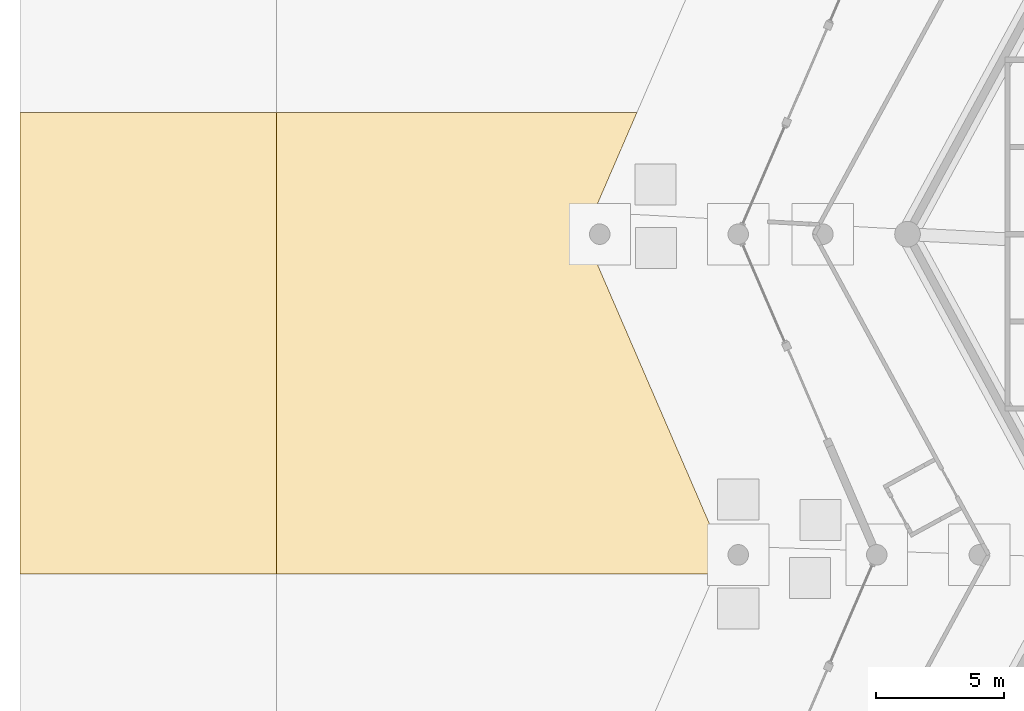
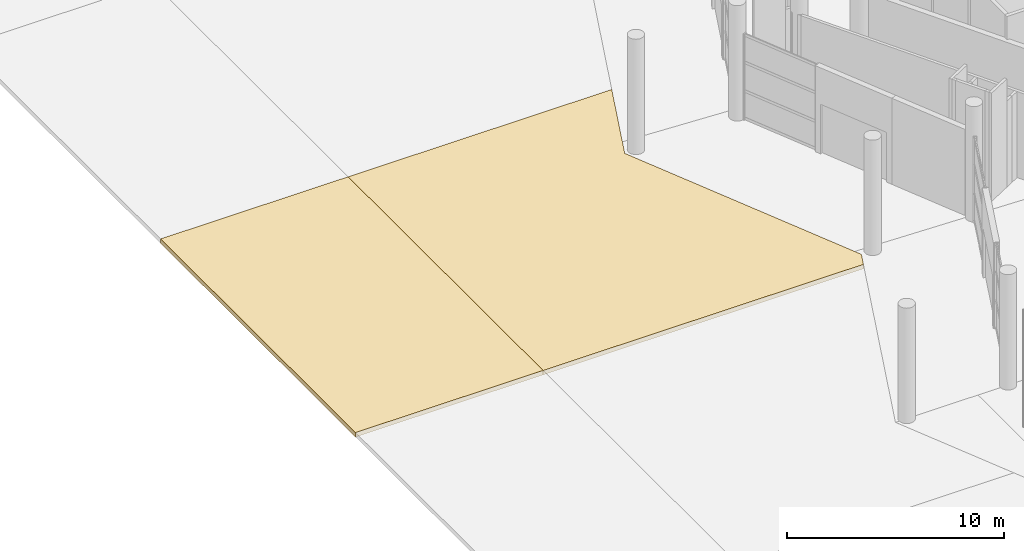
# One storey, part 222 of 255: 2 coverings.
"""IFC4 building model written with IfcOpenShell, lengths in metres."""

from ifc_helpers import new_model, si_unit, direction, frame, origin, place, context, subcontext, project, spatial, polyline, outline, extrude, material, layer, layer_set, type_object, element, save


model = new_model("IFC4")

# Units and contexts
model_context = context("Model", 3, precision=1e-05, world=origin(), true_north=direction((0.0, 1.0)))
body_context = subcontext(model_context, "Body", "Model", "MODEL_VIEW")
ifc_project = project(units=[si_unit("LENGTHUNIT", "METRE"), si_unit("AREAUNIT", "SQUARE_METRE"), si_unit("VOLUMEUNIT", "CUBIC_METRE"), si_unit("PLANEANGLEUNIT", "RADIAN"), si_unit("MASSUNIT", "GRAM", prefix="KILO")], contexts=[model_context])

# Site, building, storey
site_placement = place(None, origin())
site = spatial("IfcSite", under=ifc_project, at=site_placement, CompositionType="ELEMENT")
building_placement = place(site_placement, origin())
building = spatial("IfcBuilding", under=site, at=building_placement, Name="Meseta Stadium", CompositionType="ELEMENT")
storey_placement = place(building_placement, origin())
storey = spatial("IfcBuildingStorey", under=building, at=storey_placement, Name="L00", CompositionType="ELEMENT", Elevation=0.0)

# Coverings
ifc_material = material(Name="Guadarrama granite paving on bedding", Category="masonry")
ifc_layer = layer(ifc_material, 0.25)
ifc_layer_set = layer_set([ifc_layer], Name="Ground paving 250")
covering_type = type_object("IfcCoveringType", Name="Ground paving 250", PredefinedType="FLOORING", material=ifc_layer_set)
covering_1_placement = place(storey_placement, frame((0.0, 0.0, -0.25)))
element("IfcCovering", 1, at=covering_1_placement, inside=storey, type_object=covering_type, Name="Forecourt paving 38", PredefinedType="FLOORING", context=body_context, shape_type="SweptSolid", body=[
    extrude(outline(polyline([(-108.924072265625, 18.0), (-108.60009765625, 18.75), (-114.0, 31.25), (-111.947998046875, 36.0), (-126.0, 36.0), (-126.0, 18.0), (-108.924072265625, 18.0)])), origin(), (0.0, 0.0, 1.0), 0.25),
])
covering_2_placement = place(storey_placement, frame((0.0, 0.0, -0.25)))
element("IfcCovering", 2, at=covering_2_placement, inside=storey, type_object=covering_type, Name="Forecourt paving 39", PredefinedType="FLOORING", context=body_context, shape_type="SweptSolid", body=[
    extrude(outline(polyline([(-136.0, 36.0), (-136.0, 18.0), (-126.0, 18.0), (-126.0, 36.0), (-136.0, 36.0)])), origin(), (0.0, 0.0, 1.0), 0.25),
])

save(model, "model.ifc")
